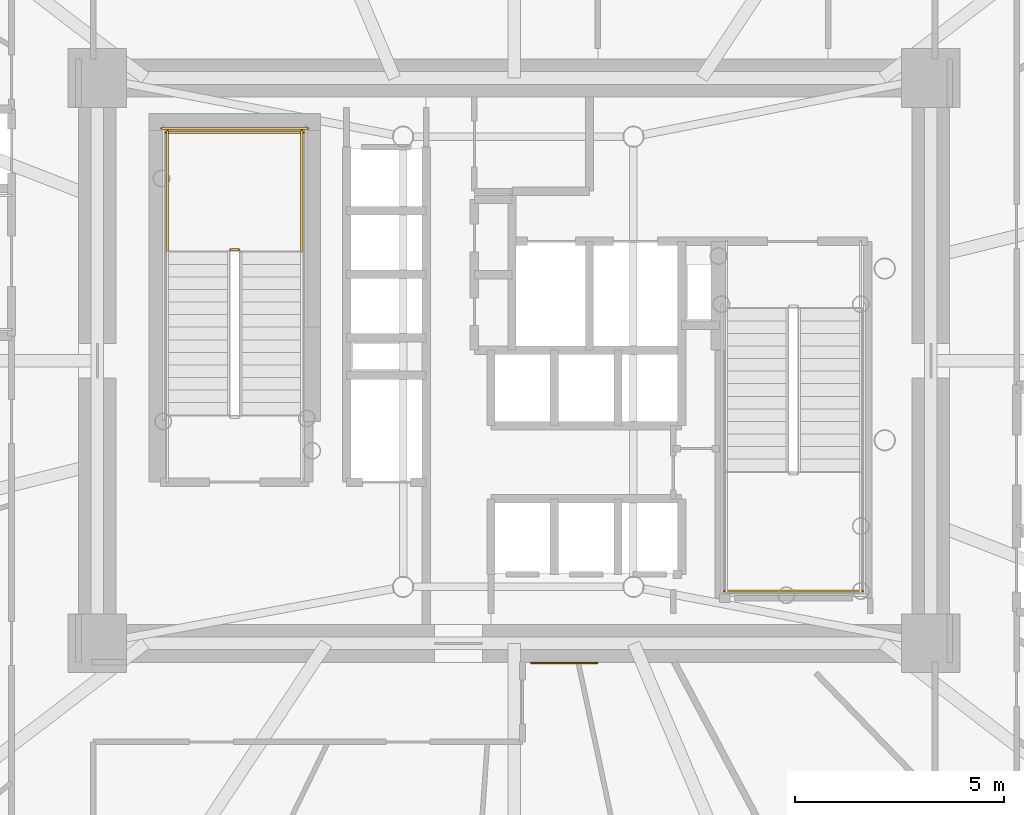
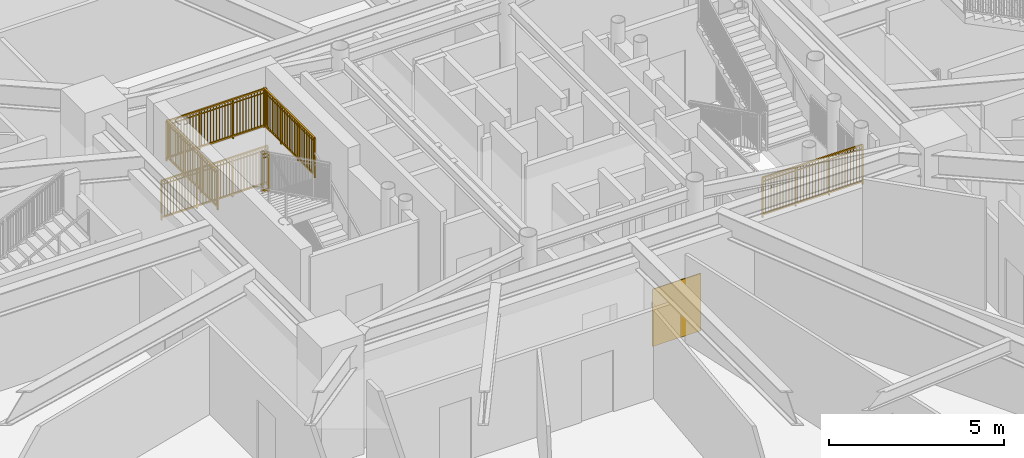
# One storey, part 22 of 27: 6 railings, 1 covering.
"""IFC4 building model written with IfcOpenShell, lengths in metres."""

from ifc_helpers import new_model, si_unit, direction, frame, origin, origin_2d, place, context, subcontext, project, spatial, rectangle, extrude, source, transform, mapped, material, layer, layer_set, type_object, element, save


model = new_model("IFC4")

# Units and contexts
model_context = context("Model", 3, precision=1e-05, world=origin(), true_north=direction((0.0, 1.0)))
body_context = subcontext(model_context, "Body", "Model", "MODEL_VIEW")
ifc_project = project(units=[si_unit("LENGTHUNIT", "METRE"), si_unit("AREAUNIT", "SQUARE_METRE"), si_unit("VOLUMEUNIT", "CUBIC_METRE"), si_unit("PLANEANGLEUNIT", "RADIAN"), si_unit("MASSUNIT", "GRAM", prefix="KILO")], contexts=[model_context])

# Site, building, storey
site_placement = place(None, origin())
site = spatial("IfcSite", under=ifc_project, at=site_placement, CompositionType="ELEMENT")
building_placement = place(site_placement, origin())
building = spatial("IfcBuilding", under=site, at=building_placement, Name="Linh Dai School and Residence Tower", CompositionType="ELEMENT")
storey_placement = place(building_placement, frame((0.0, 0.0, 14.39990234375)))
storey = spatial("IfcBuildingStorey", under=building, at=storey_placement, Name="L03", CompositionType="ELEMENT", Elevation=14.39990234375)

# Railings
ifc_material_1 = material(Name="Structural Steel S355JR", Category="steel")
railing_type = type_object("IfcRailingType", Name="RL-ST-GUARD-1400", PredefinedType="GUARDRAIL", material=ifc_material_1)
shared_shape_1 = source(origin(), body_context, "Body", "SweptSolid", [
    extrude(rectangle(XDim=0.048095703125, YDim=0.048095703125, at=origin_2d()), frame((0.0, 0.0, 1.3759765625), z_axis=(-1.0, 0.0, 0.0), x_axis=(0.0, -1.0, 0.0)), (0.0, 0.0, 1.0), 0.199951171875),
    extrude(rectangle(XDim=0.048095703125, YDim=0.048095703125, at=origin_2d()), frame((0.0, 0.0, 0.10009765625), z_axis=(-1.0, 0.0, 0.0), x_axis=(0.0, -1.0, 0.0)), (0.0, 0.0, 1.0), 0.199951171875),
    extrude(rectangle(XDim=0.030029296875, YDim=0.030029296875, at=origin_2d()), frame((0.0, 0.0, 1.239990234375), z_axis=(-1.0, 0.0, 0.0), x_axis=(0.0, -1.0, 0.0)), (0.0, 0.0, 1.0), 0.199951171875),
    extrude(rectangle(XDim=0.0419921875, YDim=0.0419921875, at=origin_2d()), origin(), (0.0, 0.0, 1.0), 1.3759765625),
    extrude(rectangle(XDim=0.0419921875, YDim=0.0419921875, at=origin_2d()), frame((-0.199951171875, 0.0, 0.0)), (0.0, 0.0, 1.0), 1.3759765625),
])
railing_1_placement = place(storey_placement, frame((29.429931640625, 29.64990234375, 2.10009765625)))
element("IfcRailing", 1, at=railing_1_placement, inside=storey, type_object=railing_type, Name="L03 ST1 stair guard 2", PredefinedType="GUARDRAIL", context=body_context, shape_type="MappedRepresentation", body=[
    mapped(shared_shape_1, transform((0.0, 0.0, 0.0), x_axis=(1.0, 0.0, 0.0), y_axis=(0.0, 1.0, 0.0), z_axis=(0.0, 0.0, 1.0), scale=1.0)),
])
shared_shape_2 = source(origin(), body_context, "Body", "SweptSolid", [
    extrude(rectangle(XDim=0.048095703125, YDim=0.048095703125, at=origin_2d()), frame((0.0, 0.0, 1.3759765625), z_axis=(-1.0, 0.0, 0.0), x_axis=(0.0, -1.0, 0.0)), (0.0, 0.0, 1.0), 3.300048828125),
    extrude(rectangle(XDim=0.048095703125, YDim=0.048095703125, at=origin_2d()), frame((0.0, 0.0, 0.10009765625), z_axis=(-1.0, 0.0, 0.0), x_axis=(0.0, -1.0, 0.0)), (0.0, 0.0, 1.0), 3.300048828125),
    extrude(rectangle(XDim=0.030029296875, YDim=0.030029296875, at=origin_2d()), frame((0.0, 0.0, 1.239990234375), z_axis=(-1.0, 0.0, 0.0), x_axis=(0.0, -1.0, 0.0)), (0.0, 0.0, 1.0), 3.300048828125),
    extrude(rectangle(XDim=0.02001953125, YDim=0.02001953125, at=origin_2d()), frame((-0.09716796875, 0.0, 0.10009765625)), (0.0, 0.0, 1.0), 1.251708984375),
    extrude(rectangle(XDim=0.02001953125, YDim=0.02001953125, at=origin_2d()), frame((-0.194091796875, 0.0, 0.10009765625)), (0.0, 0.0, 1.0), 1.251708984375),
    extrude(rectangle(XDim=0.02001953125, YDim=0.02001953125, at=origin_2d()), frame((-0.291259765625, 0.0, 0.10009765625)), (0.0, 0.0, 1.0), 1.251708984375),
    extrude(rectangle(XDim=0.02001953125, YDim=0.02001953125, at=origin_2d()), frame((-0.38818359375, 0.0, 0.10009765625)), (0.0, 0.0, 1.0), 1.251708984375),
    extrude(rectangle(XDim=0.02001953125, YDim=0.02001953125, at=origin_2d()), frame((-0.4853515625, 0.0, 0.10009765625)), (0.0, 0.0, 1.0), 1.251708984375),
    extrude(rectangle(XDim=0.02001953125, YDim=0.02001953125, at=origin_2d()), frame((-0.582275390625, 0.0, 0.10009765625)), (0.0, 0.0, 1.0), 1.251708984375),
    extrude(rectangle(XDim=0.02001953125, YDim=0.02001953125, at=origin_2d()), frame((-0.679443359375, 0.0, 0.10009765625)), (0.0, 0.0, 1.0), 1.251708984375),
    extrude(rectangle(XDim=0.02001953125, YDim=0.02001953125, at=origin_2d()), frame((-0.7763671875, 0.0, 0.10009765625)), (0.0, 0.0, 1.0), 1.251708984375),
    extrude(rectangle(XDim=0.02001953125, YDim=0.02001953125, at=origin_2d()), frame((-0.87353515625, 0.0, 0.10009765625)), (0.0, 0.0, 1.0), 1.251708984375),
    extrude(rectangle(XDim=0.02001953125, YDim=0.02001953125, at=origin_2d()), frame((-0.970703125, 0.0, 0.10009765625)), (0.0, 0.0, 1.0), 1.251708984375),
    extrude(rectangle(XDim=0.02001953125, YDim=0.02001953125, at=origin_2d()), frame((-1.164794921875, 0.0, 0.10009765625)), (0.0, 0.0, 1.0), 1.251708984375),
    extrude(rectangle(XDim=0.02001953125, YDim=0.02001953125, at=origin_2d()), frame((-1.26171875, 0.0, 0.10009765625)), (0.0, 0.0, 1.0), 1.251708984375),
    extrude(rectangle(XDim=0.02001953125, YDim=0.02001953125, at=origin_2d()), frame((-1.35888671875, 0.0, 0.10009765625)), (0.0, 0.0, 1.0), 1.251708984375),
    extrude(rectangle(XDim=0.02001953125, YDim=0.02001953125, at=origin_2d()), frame((-1.455810546875, 0.0, 0.10009765625)), (0.0, 0.0, 1.0), 1.251708984375),
    extrude(rectangle(XDim=0.02001953125, YDim=0.02001953125, at=origin_2d()), frame((-1.552978515625, 0.0, 0.10009765625)), (0.0, 0.0, 1.0), 1.251708984375),
    extrude(rectangle(XDim=0.02001953125, YDim=0.02001953125, at=origin_2d()), frame((-1.64990234375, 0.0, 0.10009765625)), (0.0, 0.0, 1.0), 1.251708984375),
    extrude(rectangle(XDim=0.02001953125, YDim=0.02001953125, at=origin_2d()), frame((-1.7470703125, 0.0, 0.10009765625)), (0.0, 0.0, 1.0), 1.251708984375),
    extrude(rectangle(XDim=0.02001953125, YDim=0.02001953125, at=origin_2d()), frame((-1.84423828125, 0.0, 0.10009765625)), (0.0, 0.0, 1.0), 1.251708984375),
    extrude(rectangle(XDim=0.02001953125, YDim=0.02001953125, at=origin_2d()), frame((-1.941162109375, 0.0, 0.10009765625)), (0.0, 0.0, 1.0), 1.251708984375),
    extrude(rectangle(XDim=0.02001953125, YDim=0.02001953125, at=origin_2d()), frame((-2.038330078125, 0.0, 0.10009765625)), (0.0, 0.0, 1.0), 1.251708984375),
    extrude(rectangle(XDim=0.02001953125, YDim=0.02001953125, at=origin_2d()), frame((-2.13525390625, 0.0, 0.10009765625)), (0.0, 0.0, 1.0), 1.251708984375),
    extrude(rectangle(XDim=0.02001953125, YDim=0.02001953125, at=origin_2d()), frame((-2.329345703125, 0.0, 0.10009765625)), (0.0, 0.0, 1.0), 1.251708984375),
    extrude(rectangle(XDim=0.02001953125, YDim=0.02001953125, at=origin_2d()), frame((-2.426513671875, 0.0, 0.10009765625)), (0.0, 0.0, 1.0), 1.251708984375),
    extrude(rectangle(XDim=0.02001953125, YDim=0.02001953125, at=origin_2d()), frame((-2.523681640625, 0.0, 0.10009765625)), (0.0, 0.0, 1.0), 1.251708984375),
    extrude(rectangle(XDim=0.02001953125, YDim=0.02001953125, at=origin_2d()), frame((-2.62060546875, 0.0, 0.10009765625)), (0.0, 0.0, 1.0), 1.251708984375),
    extrude(rectangle(XDim=0.02001953125, YDim=0.02001953125, at=origin_2d()), frame((-2.7177734375, 0.0, 0.10009765625)), (0.0, 0.0, 1.0), 1.251708984375),
    extrude(rectangle(XDim=0.02001953125, YDim=0.02001953125, at=origin_2d()), frame((-2.814697265625, 0.0, 0.10009765625)), (0.0, 0.0, 1.0), 1.251708984375),
    extrude(rectangle(XDim=0.02001953125, YDim=0.02001953125, at=origin_2d()), frame((-2.911865234375, 0.0, 0.10009765625)), (0.0, 0.0, 1.0), 1.251708984375),
    extrude(rectangle(XDim=0.02001953125, YDim=0.02001953125, at=origin_2d()), frame((-3.0087890625, 0.0, 0.10009765625)), (0.0, 0.0, 1.0), 1.251708984375),
    extrude(rectangle(XDim=0.02001953125, YDim=0.02001953125, at=origin_2d()), frame((-3.10595703125, 0.0, 0.10009765625)), (0.0, 0.0, 1.0), 1.251708984375),
    extrude(rectangle(XDim=0.02001953125, YDim=0.02001953125, at=origin_2d()), frame((-3.202880859375, 0.0, 0.10009765625)), (0.0, 0.0, 1.0), 1.251708984375),
    extrude(rectangle(XDim=0.0419921875, YDim=0.0419921875, at=origin_2d()), origin(), (0.0, 0.0, 1.0), 1.3759765625),
    extrude(rectangle(XDim=0.0419921875, YDim=0.0419921875, at=origin_2d()), frame((-1.10009765625, 0.0, 0.0)), (0.0, 0.0, 1.0), 1.3759765625),
    extrude(rectangle(XDim=0.0419921875, YDim=0.0419921875, at=origin_2d()), frame((-2.199951171875, 0.0, 0.0)), (0.0, 0.0, 1.0), 1.3759765625),
    extrude(rectangle(XDim=0.0419921875, YDim=0.0419921875, at=origin_2d()), frame((-3.300048828125, 0.0, 0.0)), (0.0, 0.0, 1.0), 1.3759765625),
])
railing_2_placement = place(storey_placement, frame((30.97998046875, 32.449951171875, 2.10009765625)))
element("IfcRailing", 2, at=railing_2_placement, inside=storey, type_object=railing_type, Name="L03 ST1 stair guard 5", PredefinedType="GUARDRAIL", context=body_context, shape_type="MappedRepresentation", body=[
    mapped(shared_shape_2, transform((0.0, 0.0, 0.0), x_axis=(1.0, 0.0, 0.0), y_axis=(0.0, 1.0, 0.0), z_axis=(0.0, 0.0, 1.0), scale=1.0)),
])
shared_shape_3 = source(origin(), body_context, "Body", "SweptSolid", [
    extrude(rectangle(XDim=0.048095703125, YDim=0.048095703125, at=origin_2d()), frame((0.0, 0.0, 1.3759765625), z_axis=(-1.0, 0.0, 0.0), x_axis=(0.0, -1.0, 0.0)), (0.0, 0.0, 1.0), 3.5),
    extrude(rectangle(XDim=0.048095703125, YDim=0.048095703125, at=origin_2d()), frame((0.0, 0.0, 0.10009765625), z_axis=(-1.0, 0.0, 0.0), x_axis=(0.0, -1.0, 0.0)), (0.0, 0.0, 1.0), 3.5),
    extrude(rectangle(XDim=0.030029296875, YDim=0.030029296875, at=origin_2d()), frame((0.0, 0.0, 1.239990234375), z_axis=(-1.0, 0.0, 0.0), x_axis=(0.0, -1.0, 0.0)), (0.0, 0.0, 1.0), 3.5),
    extrude(rectangle(XDim=0.02001953125, YDim=0.02001953125, at=origin_2d()), frame((-0.09716796875, 0.0, 0.10009765625)), (0.0, 0.0, 1.0), 1.251708984375),
    extrude(rectangle(XDim=0.02001953125, YDim=0.02001953125, at=origin_2d()), frame((-0.1943359375, 0.0, 0.10009765625)), (0.0, 0.0, 1.0), 1.251708984375),
    extrude(rectangle(XDim=0.02001953125, YDim=0.02001953125, at=origin_2d()), frame((-0.291748046875, 0.0, 0.10009765625)), (0.0, 0.0, 1.0), 1.251708984375),
    extrude(rectangle(XDim=0.02001953125, YDim=0.02001953125, at=origin_2d()), frame((-0.388916015625, 0.0, 0.10009765625)), (0.0, 0.0, 1.0), 1.251708984375),
    extrude(rectangle(XDim=0.02001953125, YDim=0.02001953125, at=origin_2d()), frame((-0.486083984375, 0.0, 0.10009765625)), (0.0, 0.0, 1.0), 1.251708984375),
    extrude(rectangle(XDim=0.02001953125, YDim=0.02001953125, at=origin_2d()), frame((-0.583251953125, 0.0, 0.10009765625)), (0.0, 0.0, 1.0), 1.251708984375),
    extrude(rectangle(XDim=0.02001953125, YDim=0.02001953125, at=origin_2d()), frame((-0.6806640625, 0.0, 0.10009765625)), (0.0, 0.0, 1.0), 1.251708984375),
    extrude(rectangle(XDim=0.02001953125, YDim=0.02001953125, at=origin_2d()), frame((-0.77783203125, 0.0, 0.10009765625)), (0.0, 0.0, 1.0), 1.251708984375),
    extrude(rectangle(XDim=0.02001953125, YDim=0.02001953125, at=origin_2d()), frame((-0.875, 0.0, 0.10009765625)), (0.0, 0.0, 1.0), 1.251708984375),
    extrude(rectangle(XDim=0.02001953125, YDim=0.02001953125, at=origin_2d()), frame((-0.97216796875, 0.0, 0.10009765625)), (0.0, 0.0, 1.0), 1.251708984375),
    extrude(rectangle(XDim=0.02001953125, YDim=0.02001953125, at=origin_2d()), frame((-1.0693359375, 0.0, 0.10009765625)), (0.0, 0.0, 1.0), 1.251708984375),
    extrude(rectangle(XDim=0.02001953125, YDim=0.02001953125, at=origin_2d()), frame((-1.263916015625, 0.0, 0.10009765625)), (0.0, 0.0, 1.0), 1.251708984375),
    extrude(rectangle(XDim=0.02001953125, YDim=0.02001953125, at=origin_2d()), frame((-1.361083984375, 0.0, 0.10009765625)), (0.0, 0.0, 1.0), 1.251708984375),
    extrude(rectangle(XDim=0.02001953125, YDim=0.02001953125, at=origin_2d()), frame((-1.458251953125, 0.0, 0.10009765625)), (0.0, 0.0, 1.0), 1.251708984375),
    extrude(rectangle(XDim=0.02001953125, YDim=0.02001953125, at=origin_2d()), frame((-1.5556640625, 0.0, 0.10009765625)), (0.0, 0.0, 1.0), 1.251708984375),
    extrude(rectangle(XDim=0.02001953125, YDim=0.02001953125, at=origin_2d()), frame((-1.65283203125, 0.0, 0.10009765625)), (0.0, 0.0, 1.0), 1.251708984375),
    extrude(rectangle(XDim=0.02001953125, YDim=0.02001953125, at=origin_2d()), frame((-1.75, 0.0, 0.10009765625)), (0.0, 0.0, 1.0), 1.251708984375),
    extrude(rectangle(XDim=0.02001953125, YDim=0.02001953125, at=origin_2d()), frame((-1.84716796875, 0.0, 0.10009765625)), (0.0, 0.0, 1.0), 1.251708984375),
    extrude(rectangle(XDim=0.02001953125, YDim=0.02001953125, at=origin_2d()), frame((-1.9443359375, 0.0, 0.10009765625)), (0.0, 0.0, 1.0), 1.251708984375),
    extrude(rectangle(XDim=0.02001953125, YDim=0.02001953125, at=origin_2d()), frame((-2.041748046875, 0.0, 0.10009765625)), (0.0, 0.0, 1.0), 1.251708984375),
    extrude(rectangle(XDim=0.02001953125, YDim=0.02001953125, at=origin_2d()), frame((-2.138916015625, 0.0, 0.10009765625)), (0.0, 0.0, 1.0), 1.251708984375),
    extrude(rectangle(XDim=0.02001953125, YDim=0.02001953125, at=origin_2d()), frame((-2.236083984375, 0.0, 0.10009765625)), (0.0, 0.0, 1.0), 1.251708984375),
    extrude(rectangle(XDim=0.02001953125, YDim=0.02001953125, at=origin_2d()), frame((-2.4306640625, 0.0, 0.10009765625)), (0.0, 0.0, 1.0), 1.251708984375),
    extrude(rectangle(XDim=0.02001953125, YDim=0.02001953125, at=origin_2d()), frame((-2.52783203125, 0.0, 0.10009765625)), (0.0, 0.0, 1.0), 1.251708984375),
    extrude(rectangle(XDim=0.02001953125, YDim=0.02001953125, at=origin_2d()), frame((-2.625, 0.0, 0.10009765625)), (0.0, 0.0, 1.0), 1.251708984375),
    extrude(rectangle(XDim=0.02001953125, YDim=0.02001953125, at=origin_2d()), frame((-2.72216796875, 0.0, 0.10009765625)), (0.0, 0.0, 1.0), 1.251708984375),
    extrude(rectangle(XDim=0.02001953125, YDim=0.02001953125, at=origin_2d()), frame((-2.8193359375, 0.0, 0.10009765625)), (0.0, 0.0, 1.0), 1.251708984375),
    extrude(rectangle(XDim=0.02001953125, YDim=0.02001953125, at=origin_2d()), frame((-2.916748046875, 0.0, 0.10009765625)), (0.0, 0.0, 1.0), 1.251708984375),
    extrude(rectangle(XDim=0.02001953125, YDim=0.02001953125, at=origin_2d()), frame((-3.013916015625, 0.0, 0.10009765625)), (0.0, 0.0, 1.0), 1.251708984375),
    extrude(rectangle(XDim=0.02001953125, YDim=0.02001953125, at=origin_2d()), frame((-3.111083984375, 0.0, 0.10009765625)), (0.0, 0.0, 1.0), 1.251708984375),
    extrude(rectangle(XDim=0.02001953125, YDim=0.02001953125, at=origin_2d()), frame((-3.208251953125, 0.0, 0.10009765625)), (0.0, 0.0, 1.0), 1.251708984375),
    extrude(rectangle(XDim=0.02001953125, YDim=0.02001953125, at=origin_2d()), frame((-3.3056640625, 0.0, 0.10009765625)), (0.0, 0.0, 1.0), 1.251708984375),
    extrude(rectangle(XDim=0.02001953125, YDim=0.02001953125, at=origin_2d()), frame((-3.40283203125, 0.0, 0.10009765625)), (0.0, 0.0, 1.0), 1.251708984375),
    extrude(rectangle(XDim=0.0419921875, YDim=0.0419921875, at=origin_2d()), origin(), (0.0, 0.0, 1.0), 1.3759765625),
    extrude(rectangle(XDim=0.0419921875, YDim=0.0419921875, at=origin_2d()), frame((-1.166748046875, 0.0, 0.0)), (0.0, 0.0, 1.0), 1.3759765625),
    extrude(rectangle(XDim=0.0419921875, YDim=0.0419921875, at=origin_2d()), frame((-2.333251953125, 0.0, 0.0)), (0.0, 0.0, 1.0), 1.3759765625),
    extrude(rectangle(XDim=0.0419921875, YDim=0.0419921875, at=origin_2d()), frame((-3.5, 0.0, 0.0)), (0.0, 0.0, 1.0), 1.3759765625),
])
railing_3_placement = place(storey_placement, frame((31.080078125, 32.550048828125, 0.0)))
element("IfcRailing", 3, at=railing_3_placement, inside=storey, type_object=railing_type, Name="L03 ST1 stair guard 12", PredefinedType="GUARDRAIL", context=body_context, shape_type="MappedRepresentation", body=[
    mapped(shared_shape_3, transform((0.0, 0.0, 0.0), x_axis=(1.0, 0.0, 0.0), y_axis=(0.0, 1.0, 0.0), z_axis=(0.0, 0.0, 1.0), scale=1.0)),
])
shared_shape_4 = source(origin(), body_context, "Body", "SweptSolid", [
    extrude(rectangle(XDim=0.048095703125, YDim=0.048095703125, at=origin_2d()), frame((0.0, 0.0, 1.3759765625), z_axis=(0.0, 1.0, 0.0), x_axis=(-1.0, 0.0, 0.0)), (0.0, 0.0, 1.0), 2.89990234375),
    extrude(rectangle(XDim=0.048095703125, YDim=0.048095703125, at=origin_2d()), frame((0.0, 0.0, 0.10009765625), z_axis=(0.0, 1.0, 0.0), x_axis=(-1.0, 0.0, 0.0)), (0.0, 0.0, 1.0), 2.89990234375),
    extrude(rectangle(XDim=0.030029296875, YDim=0.030029296875, at=origin_2d()), frame((0.0, 0.0, 1.239990234375), z_axis=(0.0, 1.0, 0.0), x_axis=(-1.0, 0.0, 0.0)), (0.0, 0.0, 1.0), 2.89990234375),
    extrude(rectangle(XDim=0.02001953125, YDim=0.02001953125, at=origin_2d()), frame((0.0, 0.0966796875, 0.10009765625)), (0.0, 0.0, 1.0), 1.251708984375),
    extrude(rectangle(XDim=0.02001953125, YDim=0.02001953125, at=origin_2d()), frame((0.0, 0.193359375, 0.10009765625)), (0.0, 0.0, 1.0), 1.251708984375),
    extrude(rectangle(XDim=0.02001953125, YDim=0.02001953125, at=origin_2d()), frame((0.0, 0.2900390625, 0.10009765625)), (0.0, 0.0, 1.0), 1.251708984375),
    extrude(rectangle(XDim=0.02001953125, YDim=0.02001953125, at=origin_2d()), frame((0.0, 0.38671875, 0.10009765625)), (0.0, 0.0, 1.0), 1.251708984375),
    extrude(rectangle(XDim=0.02001953125, YDim=0.02001953125, at=origin_2d()), frame((0.0, 0.4833984375, 0.10009765625)), (0.0, 0.0, 1.0), 1.251708984375),
    extrude(rectangle(XDim=0.02001953125, YDim=0.02001953125, at=origin_2d()), frame((0.0, 0.580078125, 0.10009765625)), (0.0, 0.0, 1.0), 1.251708984375),
    extrude(rectangle(XDim=0.02001953125, YDim=0.02001953125, at=origin_2d()), frame((0.0, 0.6767578125, 0.10009765625)), (0.0, 0.0, 1.0), 1.251708984375),
    extrude(rectangle(XDim=0.02001953125, YDim=0.02001953125, at=origin_2d()), frame((0.0, 0.773193359375, 0.10009765625)), (0.0, 0.0, 1.0), 1.251708984375),
    extrude(rectangle(XDim=0.02001953125, YDim=0.02001953125, at=origin_2d()), frame((0.0, 0.869873046875, 0.10009765625)), (0.0, 0.0, 1.0), 1.251708984375),
    extrude(rectangle(XDim=0.02001953125, YDim=0.02001953125, at=origin_2d()), frame((0.0, 1.063232421875, 0.10009765625)), (0.0, 0.0, 1.0), 1.251708984375),
    extrude(rectangle(XDim=0.02001953125, YDim=0.02001953125, at=origin_2d()), frame((0.0, 1.159912109375, 0.10009765625)), (0.0, 0.0, 1.0), 1.251708984375),
    extrude(rectangle(XDim=0.02001953125, YDim=0.02001953125, at=origin_2d()), frame((0.0, 1.256591796875, 0.10009765625)), (0.0, 0.0, 1.0), 1.251708984375),
    extrude(rectangle(XDim=0.02001953125, YDim=0.02001953125, at=origin_2d()), frame((0.0, 1.353271484375, 0.10009765625)), (0.0, 0.0, 1.0), 1.251708984375),
    extrude(rectangle(XDim=0.02001953125, YDim=0.02001953125, at=origin_2d()), frame((0.0, 1.449951171875, 0.10009765625)), (0.0, 0.0, 1.0), 1.251708984375),
    extrude(rectangle(XDim=0.02001953125, YDim=0.02001953125, at=origin_2d()), frame((0.0, 1.546630859375, 0.10009765625)), (0.0, 0.0, 1.0), 1.251708984375),
    extrude(rectangle(XDim=0.02001953125, YDim=0.02001953125, at=origin_2d()), frame((0.0, 1.643310546875, 0.10009765625)), (0.0, 0.0, 1.0), 1.251708984375),
    extrude(rectangle(XDim=0.02001953125, YDim=0.02001953125, at=origin_2d()), frame((0.0, 1.739990234375, 0.10009765625)), (0.0, 0.0, 1.0), 1.251708984375),
    extrude(rectangle(XDim=0.02001953125, YDim=0.02001953125, at=origin_2d()), frame((0.0, 1.836669921875, 0.10009765625)), (0.0, 0.0, 1.0), 1.251708984375),
    extrude(rectangle(XDim=0.02001953125, YDim=0.02001953125, at=origin_2d()), frame((0.0, 2.030029296875, 0.10009765625)), (0.0, 0.0, 1.0), 1.251708984375),
    extrude(rectangle(XDim=0.02001953125, YDim=0.02001953125, at=origin_2d()), frame((0.0, 2.126708984375, 0.10009765625)), (0.0, 0.0, 1.0), 1.251708984375),
    extrude(rectangle(XDim=0.02001953125, YDim=0.02001953125, at=origin_2d()), frame((0.0, 2.22314453125, 0.10009765625)), (0.0, 0.0, 1.0), 1.251708984375),
    extrude(rectangle(XDim=0.02001953125, YDim=0.02001953125, at=origin_2d()), frame((0.0, 2.31982421875, 0.10009765625)), (0.0, 0.0, 1.0), 1.251708984375),
    extrude(rectangle(XDim=0.02001953125, YDim=0.02001953125, at=origin_2d()), frame((0.0, 2.41650390625, 0.10009765625)), (0.0, 0.0, 1.0), 1.251708984375),
    extrude(rectangle(XDim=0.02001953125, YDim=0.02001953125, at=origin_2d()), frame((0.0, 2.51318359375, 0.10009765625)), (0.0, 0.0, 1.0), 1.251708984375),
    extrude(rectangle(XDim=0.02001953125, YDim=0.02001953125, at=origin_2d()), frame((0.0, 2.60986328125, 0.10009765625)), (0.0, 0.0, 1.0), 1.251708984375),
    extrude(rectangle(XDim=0.02001953125, YDim=0.02001953125, at=origin_2d()), frame((0.0, 2.70654296875, 0.10009765625)), (0.0, 0.0, 1.0), 1.251708984375),
    extrude(rectangle(XDim=0.02001953125, YDim=0.02001953125, at=origin_2d()), frame((0.0, 2.80322265625, 0.10009765625)), (0.0, 0.0, 1.0), 1.251708984375),
    extrude(rectangle(XDim=0.0419921875, YDim=0.0419921875, at=origin_2d()), origin(), (0.0, 0.0, 1.0), 1.3759765625),
    extrude(rectangle(XDim=0.0419921875, YDim=0.0419921875, at=origin_2d()), frame((0.0, 0.966552734375, 0.0)), (0.0, 0.0, 1.0), 1.3759765625),
    extrude(rectangle(XDim=0.0419921875, YDim=0.0419921875, at=origin_2d()), frame((0.0, 1.933349609375, 0.0)), (0.0, 0.0, 1.0), 1.3759765625),
    extrude(rectangle(XDim=0.0419921875, YDim=0.0419921875, at=origin_2d()), frame((0.0, 2.89990234375, 0.0)), (0.0, 0.0, 1.0), 1.3759765625),
])
for number, where, name in (
    (4, (30.929931640625, 29.60009765625, 2.10009765625), "L03 ST1 stair guard 3"),
    (5, (27.72998046875, 29.60009765625, 2.10009765625), "L03 ST1 stair guard 4"),
):
    element("IfcRailing", number, at=place(storey_placement, frame(where)), inside=storey, type_object=railing_type, Name=name, PredefinedType="GUARDRAIL", context=body_context, shape_type="MappedRepresentation", body=[
        mapped(shared_shape_4, transform((0.0, 0.0, 0.0), x_axis=(1.0, 0.0, 0.0), y_axis=(0.0, 1.0, 0.0), z_axis=(0.0, 0.0, 1.0), scale=1.0)),
    ])
shared_shape_5 = source(origin(), body_context, "Body", "SweptSolid", [
    extrude(rectangle(XDim=0.048095703125, YDim=0.048095703125, at=origin_2d()), frame((0.0, 0.0, 1.3759765625), z_axis=(1.0, 0.0, 0.0), x_axis=(0.0, 1.0, 0.0)), (0.0, 0.0, 1.0), 3.300048828125),
    extrude(rectangle(XDim=0.048095703125, YDim=0.048095703125, at=origin_2d()), frame((0.0, 0.0, 0.10009765625), z_axis=(1.0, 0.0, 0.0), x_axis=(0.0, 1.0, 0.0)), (0.0, 0.0, 1.0), 3.300048828125),
    extrude(rectangle(XDim=0.030029296875, YDim=0.030029296875, at=origin_2d()), frame((0.0, 0.0, 1.239990234375), z_axis=(1.0, 0.0, 0.0), x_axis=(0.0, 1.0, 0.0)), (0.0, 0.0, 1.0), 3.300048828125),
    extrude(rectangle(XDim=0.02001953125, YDim=0.02001953125, at=origin_2d()), frame((0.09716796875, 0.0, 0.10009765625)), (0.0, 0.0, 1.0), 1.251708984375),
    extrude(rectangle(XDim=0.02001953125, YDim=0.02001953125, at=origin_2d()), frame((0.194091796875, 0.0, 0.10009765625)), (0.0, 0.0, 1.0), 1.251708984375),
    extrude(rectangle(XDim=0.02001953125, YDim=0.02001953125, at=origin_2d()), frame((0.291259765625, 0.0, 0.10009765625)), (0.0, 0.0, 1.0), 1.251708984375),
    extrude(rectangle(XDim=0.02001953125, YDim=0.02001953125, at=origin_2d()), frame((0.38818359375, 0.0, 0.10009765625)), (0.0, 0.0, 1.0), 1.251708984375),
    extrude(rectangle(XDim=0.02001953125, YDim=0.02001953125, at=origin_2d()), frame((0.4853515625, 0.0, 0.10009765625)), (0.0, 0.0, 1.0), 1.251708984375),
    extrude(rectangle(XDim=0.02001953125, YDim=0.02001953125, at=origin_2d()), frame((0.582275390625, 0.0, 0.10009765625)), (0.0, 0.0, 1.0), 1.251708984375),
    extrude(rectangle(XDim=0.02001953125, YDim=0.02001953125, at=origin_2d()), frame((0.679443359375, 0.0, 0.10009765625)), (0.0, 0.0, 1.0), 1.251708984375),
    extrude(rectangle(XDim=0.02001953125, YDim=0.02001953125, at=origin_2d()), frame((0.7763671875, 0.0, 0.10009765625)), (0.0, 0.0, 1.0), 1.251708984375),
    extrude(rectangle(XDim=0.02001953125, YDim=0.02001953125, at=origin_2d()), frame((0.87353515625, 0.0, 0.10009765625)), (0.0, 0.0, 1.0), 1.251708984375),
    extrude(rectangle(XDim=0.02001953125, YDim=0.02001953125, at=origin_2d()), frame((0.970703125, 0.0, 0.10009765625)), (0.0, 0.0, 1.0), 1.251708984375),
    extrude(rectangle(XDim=0.02001953125, YDim=0.02001953125, at=origin_2d()), frame((1.164794921875, 0.0, 0.10009765625)), (0.0, 0.0, 1.0), 1.251708984375),
    extrude(rectangle(XDim=0.02001953125, YDim=0.02001953125, at=origin_2d()), frame((1.26171875, 0.0, 0.10009765625)), (0.0, 0.0, 1.0), 1.251708984375),
    extrude(rectangle(XDim=0.02001953125, YDim=0.02001953125, at=origin_2d()), frame((1.35888671875, 0.0, 0.10009765625)), (0.0, 0.0, 1.0), 1.251708984375),
    extrude(rectangle(XDim=0.02001953125, YDim=0.02001953125, at=origin_2d()), frame((1.455810546875, 0.0, 0.10009765625)), (0.0, 0.0, 1.0), 1.251708984375),
    extrude(rectangle(XDim=0.02001953125, YDim=0.02001953125, at=origin_2d()), frame((1.552978515625, 0.0, 0.10009765625)), (0.0, 0.0, 1.0), 1.251708984375),
    extrude(rectangle(XDim=0.02001953125, YDim=0.02001953125, at=origin_2d()), frame((1.64990234375, 0.0, 0.10009765625)), (0.0, 0.0, 1.0), 1.251708984375),
    extrude(rectangle(XDim=0.02001953125, YDim=0.02001953125, at=origin_2d()), frame((1.7470703125, 0.0, 0.10009765625)), (0.0, 0.0, 1.0), 1.251708984375),
    extrude(rectangle(XDim=0.02001953125, YDim=0.02001953125, at=origin_2d()), frame((1.84423828125, 0.0, 0.10009765625)), (0.0, 0.0, 1.0), 1.251708984375),
    extrude(rectangle(XDim=0.02001953125, YDim=0.02001953125, at=origin_2d()), frame((1.941162109375, 0.0, 0.10009765625)), (0.0, 0.0, 1.0), 1.251708984375),
    extrude(rectangle(XDim=0.02001953125, YDim=0.02001953125, at=origin_2d()), frame((2.038330078125, 0.0, 0.10009765625)), (0.0, 0.0, 1.0), 1.251708984375),
    extrude(rectangle(XDim=0.02001953125, YDim=0.02001953125, at=origin_2d()), frame((2.13525390625, 0.0, 0.10009765625)), (0.0, 0.0, 1.0), 1.251708984375),
    extrude(rectangle(XDim=0.02001953125, YDim=0.02001953125, at=origin_2d()), frame((2.329345703125, 0.0, 0.10009765625)), (0.0, 0.0, 1.0), 1.251708984375),
    extrude(rectangle(XDim=0.02001953125, YDim=0.02001953125, at=origin_2d()), frame((2.426513671875, 0.0, 0.10009765625)), (0.0, 0.0, 1.0), 1.251708984375),
    extrude(rectangle(XDim=0.02001953125, YDim=0.02001953125, at=origin_2d()), frame((2.523681640625, 0.0, 0.10009765625)), (0.0, 0.0, 1.0), 1.251708984375),
    extrude(rectangle(XDim=0.02001953125, YDim=0.02001953125, at=origin_2d()), frame((2.62060546875, 0.0, 0.10009765625)), (0.0, 0.0, 1.0), 1.251708984375),
    extrude(rectangle(XDim=0.02001953125, YDim=0.02001953125, at=origin_2d()), frame((2.7177734375, 0.0, 0.10009765625)), (0.0, 0.0, 1.0), 1.251708984375),
    extrude(rectangle(XDim=0.02001953125, YDim=0.02001953125, at=origin_2d()), frame((2.814697265625, 0.0, 0.10009765625)), (0.0, 0.0, 1.0), 1.251708984375),
    extrude(rectangle(XDim=0.02001953125, YDim=0.02001953125, at=origin_2d()), frame((2.911865234375, 0.0, 0.10009765625)), (0.0, 0.0, 1.0), 1.251708984375),
    extrude(rectangle(XDim=0.02001953125, YDim=0.02001953125, at=origin_2d()), frame((3.0087890625, 0.0, 0.10009765625)), (0.0, 0.0, 1.0), 1.251708984375),
    extrude(rectangle(XDim=0.02001953125, YDim=0.02001953125, at=origin_2d()), frame((3.10595703125, 0.0, 0.10009765625)), (0.0, 0.0, 1.0), 1.251708984375),
    extrude(rectangle(XDim=0.02001953125, YDim=0.02001953125, at=origin_2d()), frame((3.202880859375, 0.0, 0.10009765625)), (0.0, 0.0, 1.0), 1.251708984375),
    extrude(rectangle(XDim=0.0419921875, YDim=0.0419921875, at=origin_2d()), origin(), (0.0, 0.0, 1.0), 1.3759765625),
    extrude(rectangle(XDim=0.0419921875, YDim=0.0419921875, at=origin_2d()), frame((1.10009765625, 0.0, 0.0)), (0.0, 0.0, 1.0), 1.3759765625),
    extrude(rectangle(XDim=0.0419921875, YDim=0.0419921875, at=origin_2d()), frame((2.199951171875, 0.0, 0.0)), (0.0, 0.0, 1.0), 1.3759765625),
    extrude(rectangle(XDim=0.0419921875, YDim=0.0419921875, at=origin_2d()), frame((3.300048828125, 0.0, 0.0)), (0.0, 0.0, 1.0), 1.3759765625),
])
railing_4_placement = place(storey_placement, frame((41.02001953125, 21.5, 2.10009765625)))
element("IfcRailing", 6, at=railing_4_placement, inside=storey, type_object=railing_type, Name="L03 ST2 stair guard 5", PredefinedType="GUARDRAIL", context=body_context, shape_type="MappedRepresentation", body=[
    mapped(shared_shape_5, transform((0.0, 0.0, 0.0), x_axis=(1.0, 0.0, 0.0), y_axis=(0.0, 1.0, 0.0), z_axis=(0.0, 0.0, 1.0), scale=1.0)),
])

# Covering
ifc_material_2 = material(Name="Glazed Terracotta Acoustic Feature Cladding", Category="masonry")
ifc_layer = layer(ifc_material_2, 0.030029296875)
ifc_layer_set = layer_set([ifc_layer], Name="Glazed Terracotta Acoustic Feature Cladding")
covering_type = type_object("IfcCoveringType", Name="COV-CLAD-TC-30", PredefinedType="CLADDING", material=ifc_layer_set)
shared_shape_6 = source(origin(), body_context, "Body", "SweptSolid", [
    extrude(rectangle(XDim=1.60009765625, YDim=0.030029296875, at=origin_2d()), origin(), (0.0, 0.0, 1.0), 2.0),
])
covering_placement = place(storey_placement, frame((37.199951171875, 19.784912109375, 0.25), z_axis=(0.0, 0.0, 1.0), x_axis=(1.0, 0.0, 0.0)))
element("IfcCovering", 7, at=covering_placement, inside=storey, type_object=covering_type, Name="L03 Core Lobby Terracotta Feature Cladding", PredefinedType="CLADDING", context=body_context, shape_type="MappedRepresentation", body=[
    mapped(shared_shape_6, transform((0.0, 0.0, 0.0), x_axis=(1.0, 0.0, 0.0), y_axis=(0.0, 1.0, 0.0), z_axis=(0.0, 0.0, 1.0), scale=1.0)),
])

save(model, "model.ifc")
